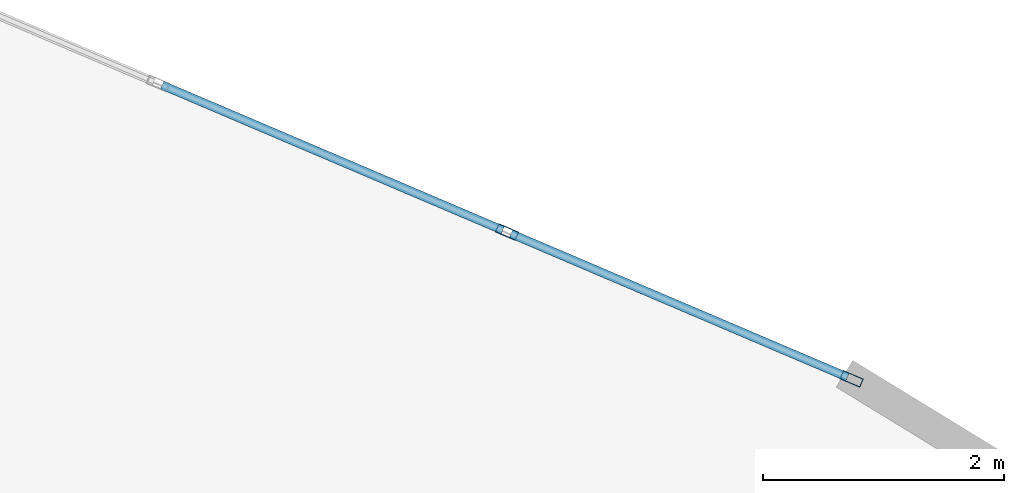
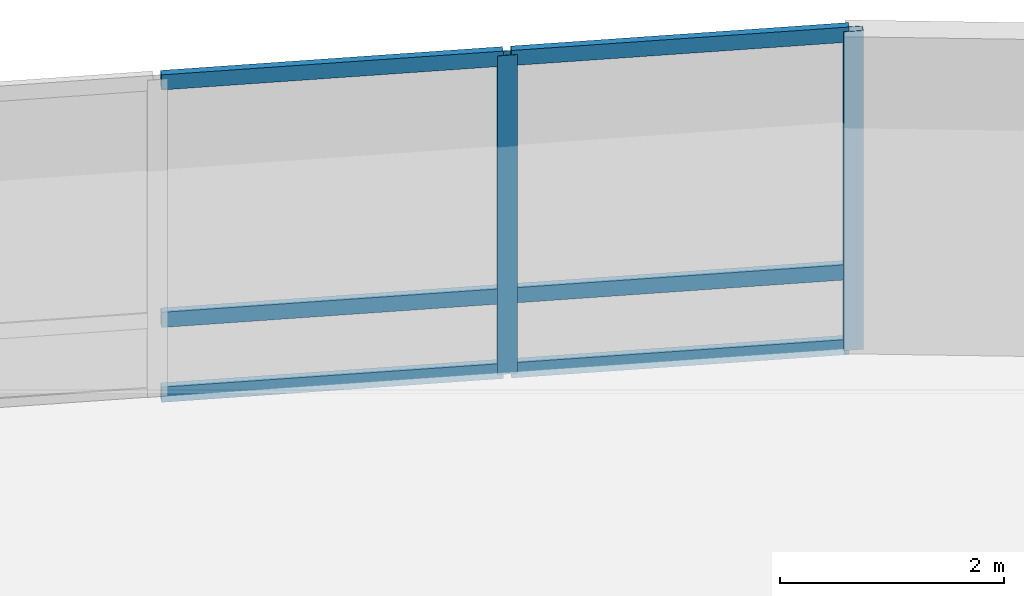
# One storey, part 13 of 20: 8 members, 1 element without a shape of its own.
"""IFC4 building model written with IfcOpenShell, lengths in metres."""

import ifcopenshell
import ifcopenshell.guid

model = None  # the IFC model being written
_history = None  # IfcOwnerHistory: only IFC2X3 demands one
_inside = {}  # id of a spatial element -> (the spatial element, [elements in it])
_under = {}  # id of a project, library or spatial element -> (it, [spatial elements below it])
_declared = {}  # id of a project -> (the project, [libraries it declares])
_typed = {}  # id of a type object -> (the type object, [elements of that type])
_made_of = {}  # id of a material, layer set ... -> (it, [elements and type objects made of it])


def new_model(schema):
    """Start an empty IFC model of exactly this schema.

    Asked for "IFC4X3", IfcOpenShell would pick the latest addendum, in which some entities
    have other attributes; the version numbers below select the first issue.
    IFC2X3 requires an IfcOwnerHistory on every rooted entity: one is made here for all.
    """
    global model, _history
    if schema == "IFC4X3":
        model = ifcopenshell.file(schema_version=(4, 3, 0, 0))
    else:
        model = ifcopenshell.file(schema=schema)
    _inside.clear()
    _under.clear()
    _declared.clear()
    _typed.clear()
    _made_of.clear()
    _history = None
    if model.schema == "IFC2X3":
        org = make("IfcOrganization", Name="unknown")
        user = make(
            "IfcPersonAndOrganization",
            ThePerson=make("IfcPerson", FamilyName="unknown"),
            TheOrganization=org,
        )
        app = make(
            "IfcApplication",
            ApplicationDeveloper=org,
            Version="unknown",
            ApplicationFullName="unknown",
            ApplicationIdentifier="unknown",
        )
        _history = make(
            "IfcOwnerHistory",
            OwningUser=user,
            OwningApplication=app,
            ChangeAction="ADDED",
            CreationDate=0,
        )
    return model


def make(cls, **values):
    """One entity of the class cls with the attributes given. An attribute that is None is left unset."""
    return model.create_entity(
        cls, **{name: value for name, value in values.items() if value is not None}
    )


def rooted(cls, **values):
    """An entity with a GlobalId (a new one), such as an element, a storey or a relation."""
    return make(cls, GlobalId=ifcopenshell.guid.new(), OwnerHistory=_history, **values)


def si_unit(unit_type, name, prefix=None):
    """IfcSIUnit, for example si_unit("LENGTHUNIT", "METRE", prefix="MILLI")."""
    return make("IfcSIUnit", UnitType=unit_type, Prefix=prefix, Name=name)


def assignment(units):
    """IfcUnitAssignment: the units of a project."""
    return None if units is None else make("IfcUnitAssignment", Units=units)


def point(xyz):
    """IfcCartesianPoint."""
    return None if xyz is None else make("IfcCartesianPoint", Coordinates=xyz)


def direction(xyz):
    """IfcDirection."""
    return None if xyz is None else make("IfcDirection", DirectionRatios=xyz)


def frame(location, z_axis=None, x_axis=None):
    """IfcAxis2Placement3D, a coordinate frame: its origin and axes. An axis left out is left unset."""
    return make(
        "IfcAxis2Placement3D",
        Location=point(location),
        Axis=direction(z_axis),
        RefDirection=direction(x_axis),
    )


def frame_2d(location, x_axis=None):
    """IfcAxis2Placement2D, a coordinate frame in the plane: its origin and x axis."""
    return make(
        "IfcAxis2Placement2D", Location=point(location), RefDirection=direction(x_axis)
    )


def origin():
    """The frame at (0, 0, 0) with its axes left unset."""
    return frame((0.0, 0.0, 0.0))


def origin_2d():
    """The frame at (0, 0) in the plane with its x axis left unset."""
    return frame_2d((0.0, 0.0))


def place(relative_to, where):
    """IfcLocalPlacement: puts the frame where relative to a parent placement (None: the world)."""
    return make(
        "IfcLocalPlacement", PlacementRelTo=relative_to, RelativePlacement=where
    )


def context(
    kind, dimensions, precision=None, world=None, true_north=None, identifier=None
):
    """IfcGeometricRepresentationContext, for example the 3D "Model" context."""
    return make(
        "IfcGeometricRepresentationContext",
        ContextIdentifier=identifier,
        ContextType=kind,
        CoordinateSpaceDimension=dimensions,
        Precision=precision,
        WorldCoordinateSystem=world,
        TrueNorth=true_north,
    )


def subcontext(parent, identifier, kind, view, scale=None):
    """IfcGeometricRepresentationSubContext, for example "Body" below "Model"."""
    return make(
        "IfcGeometricRepresentationSubContext",
        ContextIdentifier=identifier,
        ContextType=kind,
        ParentContext=parent,
        TargetScale=scale,
        TargetView=view,
    )


def project(units=None, contexts=None):
    """IfcProject with its units and contexts."""
    return rooted(
        "IfcProject",
        Name="project",
        RepresentationContexts=contexts,
        UnitsInContext=assignment(units),
    )


def spatial(cls, under=None, at=None, **own):
    """A site, building, storey or space (cls), placed at a placement, below another one or the project."""
    s = rooted(cls, ObjectPlacement=at, **own)
    if under is not None:
        _under.setdefault(under.id(), (under, []))[1].append(s)
    return s


def profile(cls, at=None, kind="AREA", **sizes):
    """A parametric profile (cls). Its sizes go by their IFC names, for example OverallWidth=200.0."""
    return make(cls, ProfileType=kind, Position=at, **sizes)


def hollow_rectangle(**sizes):
    """IfcRectangleHollowProfileDef."""
    return profile("IfcRectangleHollowProfileDef", **sizes)


def extrude(swept, where, along, depth):
    """IfcExtrudedAreaSolid: the profile swept, set in the frame where, extruded along a direction by depth."""
    return make(
        "IfcExtrudedAreaSolid",
        SweptArea=swept,
        Position=where,
        ExtrudedDirection=direction(along),
        Depth=depth,
    )


def shape(context_of_items, identifier, shape_type, items):
    """IfcShapeRepresentation: the items that make up one representation, for example the "Body"."""
    return make(
        "IfcShapeRepresentation",
        ContextOfItems=context_of_items,
        RepresentationIdentifier=identifier,
        RepresentationType=shape_type,
        Items=items,
    )


def material(Name=None, Category=None):
    """IfcMaterial."""
    return make("IfcMaterial", Name=Name, Category=Category)


def layer(
    of_material, thickness, ventilated=None, Name=None, Category=None, Priority=None
):
    """IfcMaterialLayer: one layer of a wall or slab, of a material (None: an air gap)."""
    return make(
        "IfcMaterialLayer",
        Material=of_material,
        LayerThickness=thickness,
        IsVentilated=ventilated,
        Name=Name,
        Category=Category,
        Priority=Priority,
    )


def layer_set(layers, Name=None):
    """IfcMaterialLayerSet."""
    return make("IfcMaterialLayerSet", MaterialLayers=layers, LayerSetName=Name)


def material_profile(
    of_material, cross_section, Name=None, Category=None, Priority=None
):
    """IfcMaterialProfile: a cross section and its material."""
    return make(
        "IfcMaterialProfile",
        Name=Name,
        Material=of_material,
        Profile=cross_section,
        Priority=Priority,
        Category=Category,
    )


def profile_set(profiles, Name=None, composite=None):
    """IfcMaterialProfileSet."""
    return make(
        "IfcMaterialProfileSet",
        Name=Name,
        MaterialProfiles=profiles,
        CompositeProfile=composite,
    )


def made_of(thing, what):
    """Note that an element or type object is made of a material, layer set ...; save() writes the relation."""
    if what is not None:
        _made_of.setdefault(what.id(), (what, []))[1].append(thing)
    return thing


def type_object(cls, material=None, **own):
    """A type object (cls), such as IfcWallType, which elements share."""
    return made_of(rooted(cls, **own), material)


def element(
    cls,
    number,
    at=None,
    inside=None,
    cuts=None,
    type_object=None,
    material=None,
    context=None,
    identifier="Body",
    shape_type=None,
    held_by="IfcProductDefinitionShape",
    body=None,
    shapes=None,
    **own,
):
    """One element of the class cls, such as IfcWall. Its Tag is "e" and its number.

    at: its placement. inside: the storey or other place that contains it. cuts: it is an
    opening in that element (IfcRelVoidsElement). A single representation is given by context,
    identifier, shape_type and body (its items); several are given by shapes. held_by: the class
    of the entity that holds the representations. save() writes the other relations.
    """
    e = rooted(cls, Tag="e%d" % number, ObjectPlacement=at, **own)
    if body is not None:
        shapes = [shape(context, identifier, shape_type, body)]
    if shapes is not None:
        e.Representation = make(held_by, Representations=shapes)
    if inside is not None:
        _inside.setdefault(inside.id(), (inside, []))[1].append(e)
    if cuts is not None:
        rooted(
            "IfcRelVoidsElement", RelatingBuildingElement=cuts, RelatedOpeningElement=e
        )
    if type_object is not None:
        _typed.setdefault(type_object.id(), (type_object, []))[1].append(e)
    return made_of(e, material)


def aggregate(whole, parts):
    """IfcRelAggregates: a whole, such as a stair, and the parts it consists of."""
    return rooted("IfcRelAggregates", RelatingObject=whole, RelatedObjects=parts)


def save(model, path):
    """Write the relations noted so far, then the file.

    IfcRelAggregates (storeys below a building ...), IfcRelContainedInSpatialStructure (elements
    in a storey), IfcRelDefinesByType, IfcRelAssociatesMaterial and IfcRelDeclares: one each for
    every whole, place, type object, material and project.
    """
    for whole, parts in _under.values():
        aggregate(whole, parts)
    for where, things in _inside.values():
        rooted(
            "IfcRelContainedInSpatialStructure",
            RelatedElements=things,
            RelatingStructure=where,
        )
    for kind, things in _typed.values():
        rooted("IfcRelDefinesByType", RelatedObjects=things, RelatingType=kind)
    for what, things in _made_of.values():
        rooted("IfcRelAssociatesMaterial", RelatedObjects=things, RelatingMaterial=what)
    for by, libraries in _declared.values():
        rooted("IfcRelDeclares", RelatingContext=by, RelatedDefinitions=libraries)
    model.write(path)


model = new_model("IFC4")

# Units and contexts
model_context = context("Model", 3, precision=1e-05, world=origin(), true_north=direction((0.0, 1.0)))
body_context = subcontext(model_context, "Body", "Model", "MODEL_VIEW")
ifc_project = project(units=[si_unit("LENGTHUNIT", "METRE"), si_unit("AREAUNIT", "SQUARE_METRE"), si_unit("VOLUMEUNIT", "CUBIC_METRE"), si_unit("PLANEANGLEUNIT", "RADIAN"), si_unit("MASSUNIT", "GRAM", prefix="KILO")], contexts=[model_context])

# Site, building, storey
site_placement = place(None, origin())
site = spatial("IfcSite", under=ifc_project, at=site_placement, CompositionType="ELEMENT")
building_placement = place(site_placement, origin())
building = spatial("IfcBuilding", under=site, at=building_placement, Name="Menara Vayukalpa", CompositionType="ELEMENT")
storey_placement = place(building_placement, frame((0.0, 0.0, 61.080078125)))
storey = spatial("IfcBuildingStorey", under=building, at=storey_placement, Name="L14", CompositionType="ELEMENT", Elevation=61.080078125)

# Curtain wall, members
ifc_material_1 = material(Name="Anodised Terracotta Aluminium Alloy 6063-T6", Category="masonry")
ifc_layer = layer(ifc_material_1, 0.179931640625)
ifc_layer_set = layer_set([ifc_layer], Name="Anodised Terracotta Aluminium Alloy 6063-T6")
curtain_wall_type = type_object("IfcCurtainWallType", Name="CW-CW4", PredefinedType="USERDEFINED", material=ifc_layer_set)
curtain_wall_placement = place(storey_placement, origin())
curtain_wall = element("IfcCurtainWall", 1, at=curtain_wall_placement, inside=storey, type_object=curtain_wall_type, Name="L14 Sky Bar Cantilever Glazed Curtain Wall CW4 04", ObjectType="UNITISED", PredefinedType="USERDEFINED")
ifc_material_2 = material(Name="Anodised Terracotta Aluminium Alloy 6063-T6", Category="masonry")
ifc_material_profile_1 = material_profile(ifc_material_2, hollow_rectangle(XDim=0.074951171875, YDim=0.179931640625, WallThickness=0.00390625, at=origin_2d()), Name="ALU 75x180x4")
ifc_profile_set_1 = profile_set([ifc_material_profile_1], Name="Anodised Terracotta Aluminium Alloy 6063-T6")
member_type_1 = type_object("IfcMemberType", Name="CWM-CW4", PredefinedType="MULLION", material=ifc_profile_set_1)
member_1_placement = place(storey_placement, frame((47.06298828125, 29.523193359375, 0.0), z_axis=(0.0, 0.0, 1.0), x_axis=(-0.392008132718, -0.919961751315, 0.0)))
member_1 = element("IfcMember", 2, at=member_1_placement, type_object=member_type_1, Name="CW4 mullion 1", PredefinedType="MULLION", context=body_context, shape_type="SweptSolid", body=[
    extrude(hollow_rectangle(XDim=0.074951171875, YDim=0.179931640625, WallThickness=0.00390625, at=origin_2d()), origin(), (0.0, 0.0, 1.0), 3.469970703125),
])
member_2_placement = place(storey_placement, frame((44.205078125, 30.740966796875, 0.0), z_axis=(0.0, 0.0, 1.0), x_axis=(-0.392008132718, -0.919961751315, 0.0)))
member_2 = element("IfcMember", 3, at=member_2_placement, type_object=member_type_1, Name="CW4 mullion 2", PredefinedType="MULLION", context=body_context, shape_type="SweptSolid", body=[
    extrude(hollow_rectangle(XDim=0.074951171875, YDim=0.179931640625, WallThickness=0.00390625, at=origin_2d()), origin(), (0.0, 0.0, 1.0), 3.469970703125),
])
ifc_material_3 = material(Name="Anodised Terracotta Aluminium Alloy 6063-T6", Category="masonry")
ifc_material_profile_2 = material_profile(ifc_material_3, hollow_rectangle(XDim=0.070068359375, YDim=0.1650390625, WallThickness=0.00390625, at=origin_2d()), Name="ALU 70x165x4")
ifc_profile_set_2 = profile_set([ifc_material_profile_2], Name="Anodised Terracotta Aluminium Alloy 6063-T6")
member_type_2 = type_object("IfcMemberType", Name="CWT-CW4", PredefinedType="USERDEFINED", material=ifc_profile_set_2)
member_3_placement = place(storey_placement, frame((47.028564453125, 29.537841796875, 0.034912109375), z_axis=(-0.919959450087, 0.392013533178, 0.0), x_axis=(-0.392013533178, -0.919959450087, 0.0)))
member_3 = element("IfcMember", 4, at=member_3_placement, type_object=member_type_2, Name="CW4 transom 1.1", ObjectType="TRANSOM", PredefinedType="USERDEFINED", context=body_context, shape_type="SweptSolid", body=[
    extrude(hollow_rectangle(XDim=0.070068359375, YDim=0.1650390625, WallThickness=0.00390625, at=origin_2d()), origin(), (0.0, 0.0, 1.0), 3.03173828125),
])
member_4_placement = place(storey_placement, frame((47.028564453125, 29.537841796875, 0.849853515625), z_axis=(-0.919959450087, 0.392013533178, 0.0), x_axis=(-0.392013533178, -0.919959450087, 0.0)))
member_4 = element("IfcMember", 5, at=member_4_placement, type_object=member_type_2, Name="CW4 transom 1.2", ObjectType="TRANSOM", PredefinedType="USERDEFINED", context=body_context, shape_type="SweptSolid", body=[
    extrude(hollow_rectangle(XDim=0.070068359375, YDim=0.1650390625, WallThickness=0.00390625, at=origin_2d()), origin(), (0.0, 0.0, 1.0), 3.03173828125),
])
member_5_placement = place(storey_placement, frame((47.028564453125, 29.537841796875, 3.434814453125), z_axis=(-0.919959450087, 0.392013533178, 0.0), x_axis=(-0.392013533178, -0.919959450087, 0.0)))
member_5 = element("IfcMember", 6, at=member_5_placement, type_object=member_type_2, Name="CW4 transom 1.3", ObjectType="TRANSOM", PredefinedType="USERDEFINED", context=body_context, shape_type="SweptSolid", body=[
    extrude(hollow_rectangle(XDim=0.070068359375, YDim=0.1650390625, WallThickness=0.00390625, at=origin_2d()), origin(), (0.0, 0.0, 1.0), 3.03173828125),
])
member_6_placement = place(storey_placement, frame((44.170654296875, 30.755615234375, 0.034912109375), z_axis=(-0.919961830658, 0.392007946518, 0.0), x_axis=(-0.392007946518, -0.919961830658, 0.0)))
member_6 = element("IfcMember", 7, at=member_6_placement, type_object=member_type_2, Name="CW4 transom 2.1", ObjectType="TRANSOM", PredefinedType="USERDEFINED", context=body_context, shape_type="SweptSolid", body=[
    extrude(hollow_rectangle(XDim=0.070068359375, YDim=0.1650390625, WallThickness=0.00390625, at=origin_2d()), origin(), (0.0, 0.0, 1.0), 3.069091796875),
])
member_7_placement = place(storey_placement, frame((44.170654296875, 30.755615234375, 0.849853515625), z_axis=(-0.919961830658, 0.392007946518, 0.0), x_axis=(-0.392007946518, -0.919961830658, 0.0)))
member_7 = element("IfcMember", 8, at=member_7_placement, type_object=member_type_2, Name="CW4 transom 2.2", ObjectType="TRANSOM", PredefinedType="USERDEFINED", context=body_context, shape_type="SweptSolid", body=[
    extrude(hollow_rectangle(XDim=0.070068359375, YDim=0.1650390625, WallThickness=0.00390625, at=origin_2d()), origin(), (0.0, 0.0, 1.0), 3.069091796875),
])
member_8_placement = place(storey_placement, frame((44.170654296875, 30.755615234375, 3.434814453125), z_axis=(-0.919961830658, 0.392007946518, 0.0), x_axis=(-0.392007946518, -0.919961830658, 0.0)))
member_8 = element("IfcMember", 9, at=member_8_placement, type_object=member_type_2, Name="CW4 transom 2.3", ObjectType="TRANSOM", PredefinedType="USERDEFINED", context=body_context, shape_type="SweptSolid", body=[
    extrude(hollow_rectangle(XDim=0.070068359375, YDim=0.1650390625, WallThickness=0.00390625, at=origin_2d()), origin(), (0.0, 0.0, 1.0), 3.069091796875),
])
aggregate(curtain_wall, [member_1, member_2, member_3, member_4, member_5, member_6, member_7, member_8])

save(model, "model.ifc")
